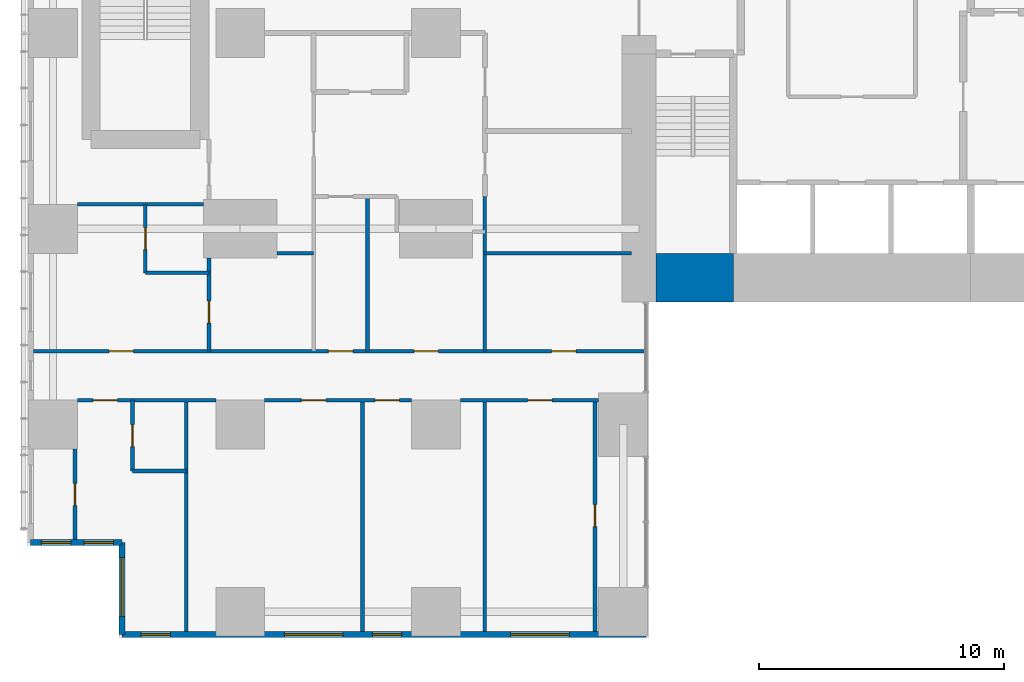
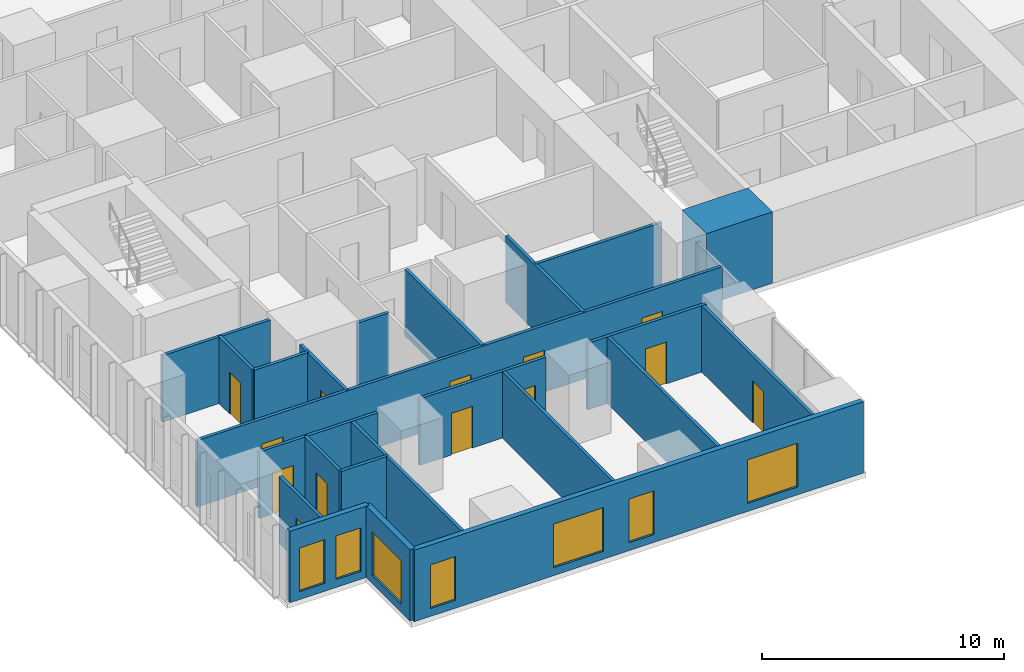
# One storey, part 12 of 20: 23 walls, 13 doors, 7 windows, 20 openings.
"""IFC4 building model written with IfcOpenShell, lengths in metres."""

from ifc_helpers import new_model, si_unit, direction, frame, frame_2d, origin, place, context, subcontext, project, spatial, rectangle, extrude, material, layer, layer_set, type_object, element, fill, save


model = new_model("IFC4")

# Units and contexts
model_context = context("Model", 3, precision=1e-05, world=origin(), true_north=direction((0.0, 1.0)))
body_context = subcontext(model_context, "Body", "Model", "MODEL_VIEW")
ifc_project = project(units=[si_unit("LENGTHUNIT", "METRE"), si_unit("AREAUNIT", "SQUARE_METRE"), si_unit("VOLUMEUNIT", "CUBIC_METRE"), si_unit("PLANEANGLEUNIT", "RADIAN"), si_unit("MASSUNIT", "GRAM", prefix="KILO")], contexts=[model_context])

# Site, building, storey
site_placement = place(None, origin())
site = spatial("IfcSite", under=ifc_project, at=site_placement, CompositionType="ELEMENT")
building_placement = place(site_placement, origin())
building = spatial("IfcBuilding", under=site, at=building_placement, Name="Cleftline Residences", CompositionType="ELEMENT")
storey_placement = place(building_placement, frame((0.0, 0.0, 150.199951171875)))
storey = spatial("IfcBuildingStorey", under=building, at=storey_placement, Name="L39", CompositionType="ELEMENT", Elevation=150.199951171875)

# Wall
ifc_material_1 = material(Name="Concrete B70", Category="concrete")
ifc_layer_1 = layer(ifc_material_1, 2.0)
ifc_layer_set_1 = layer_set([ifc_layer_1], Name="CORE WALL 2000")
wall_type_1 = type_object("IfcWallType", Name="CORE WALL 2000", PredefinedType="SHEAR", material=ifc_layer_set_1)
wall_1_placement = place(storey_placement, frame((25.0, 14.0, 0.0), z_axis=(0.0, 0.0, 1.0), x_axis=(1.0, 0.0, 0.0)))
element("IfcWall", 1, at=wall_1_placement, inside=storey, type_object=wall_type_1, Name="Core wall S1", PredefinedType="SHEAR", context=body_context, shape_type="SweptSolid", body=[
    extrude(rectangle(XDim=3.14990234375, YDim=2.0, at=frame_2d((1.574951171875, 0.0))), origin(), (0.0, 0.0, 1.0), 3.60009765625),
])

# Wall, openings, windows
ifc_material_2 = material(Name="Rendered reinforced concrete blockwork", Category="masonry")
ifc_layer_2 = layer(ifc_material_2, 0.25)
ifc_layer_set_2 = layer_set([ifc_layer_2], Name="EXTERNAL WALL 250")
wall_type_2 = type_object("IfcWallType", Name="EXTERNAL WALL 250", PredefinedType="SOLIDWALL", material=ifc_layer_set_2)
wall_2_placement = place(storey_placement, frame((-0.574951171875, 3.175048828125, 0.0), z_axis=(0.0, 0.0, 1.0), x_axis=(1.0, 0.0, 0.0)))
wall_2 = element("IfcWall", 2, at=wall_2_placement, inside=storey, type_object=wall_type_2, Name="External wall", PredefinedType="SOLIDWALL", context=body_context, shape_type="SweptSolid", body=[
    extrude(rectangle(XDim=3.75, YDim=0.25, at=frame_2d((1.875, 0.0))), origin(), (0.0, 0.0, 1.0), 3.60009765625),
])
opening_1_placement = place(wall_2_placement, frame((0.449951171875, 0.0, 0.39990234375)))
opening_1 = element("IfcOpeningElement", 3, at=opening_1_placement, cuts=wall_2, Name="Opening W11", PredefinedType="OPENING", context=body_context, shape_type="SweptSolid", body=[
    extrude(rectangle(XDim=1.199951171875, YDim=2.199951171875, at=frame_2d((0.60009765625, 1.10009765625))), frame((0.0, 0.135009765625, 0.0), z_axis=(0.0, -1.0, 0.0), x_axis=(1.0, 0.0, 0.0)), (0.0, 0.0, 1.0), 0.27001953125),
])
opening_2_placement = place(wall_2_placement, frame((2.1875, 0.0, 0.39990234375)))
opening_2 = element("IfcOpeningElement", 4, at=opening_2_placement, cuts=wall_2, Name="Opening W11", PredefinedType="OPENING", context=body_context, shape_type="SweptSolid", body=[
    extrude(rectangle(XDim=1.199951171875, YDim=2.199951171875, at=frame_2d((0.60009765625, 1.10009765625))), frame((0.0, 0.135009765625, 0.0), z_axis=(0.0, -1.0, 0.0), x_axis=(1.0, 0.0, 0.0)), (0.0, 0.0, 1.0), 0.27001953125),
])
ifc_material_3 = material(Name="Aluminium frame, clear double glazing", Category="aluminium")
window_type_1 = type_object("IfcWindowType", Name="WINDOW 1200X2200", PartitioningType="DOUBLE_PANEL_VERTICAL", PredefinedType="WINDOW", material=ifc_material_3)
window_1_placement = place(opening_1_placement, origin())
window_1 = element("IfcWindow", 5, at=window_1_placement, inside=storey, type_object=window_type_1, Name="Window", OverallHeight=2.199951171875, OverallWidth=1.199951171875, PartitioningType="SINGLE_PANEL", PredefinedType="WINDOW", context=body_context, shape_type="SweptSolid", body=[
    extrude(rectangle(XDim=1.199951171875, YDim=2.199951171875, at=frame_2d((0.60009765625, 1.10009765625))), frame((0.0, 0.030029296875, 0.0), z_axis=(0.0, -1.0, 0.0), x_axis=(1.0, 0.0, 0.0)), (0.0, 0.0, 1.0), 0.06005859375),
])
fill(opening_1, window_1)
window_2_placement = place(opening_2_placement, origin())
window_2 = element("IfcWindow", 6, at=window_2_placement, inside=storey, type_object=window_type_1, Name="Window", OverallHeight=2.199951171875, OverallWidth=1.199951171875, PartitioningType="SINGLE_PANEL", PredefinedType="WINDOW", context=body_context, shape_type="SweptSolid", body=[
    extrude(rectangle(XDim=1.199951171875, YDim=2.199951171875, at=frame_2d((0.60009765625, 1.10009765625))), frame((0.0, 0.030029296875, 0.0), z_axis=(0.0, -1.0, 0.0), x_axis=(1.0, 0.0, 0.0)), (0.0, 0.0, 1.0), 0.06005859375),
])
fill(opening_2, window_2)

# Wall, opening, window
wall_3_placement = place(storey_placement, frame((3.175048828125, 3.175048828125, 0.0), z_axis=(0.0, 0.0, 1.0), x_axis=(0.0, -1.0, 0.0)))
wall_3 = element("IfcWall", 7, at=wall_3_placement, inside=storey, type_object=wall_type_2, Name="External wall", PredefinedType="SOLIDWALL", context=body_context, shape_type="SweptSolid", body=[
    extrude(rectangle(XDim=3.75, YDim=0.25, at=frame_2d((1.875, 0.0))), origin(), (0.0, 0.0, 1.0), 3.60009765625),
])
opening_3_placement = place(wall_3_placement, frame((0.612548828125, 0.0, 0.39990234375)))
opening_3 = element("IfcOpeningElement", 8, at=opening_3_placement, cuts=wall_3, Name="Opening W12", PredefinedType="OPENING", context=body_context, shape_type="SweptSolid", body=[
    extrude(rectangle(XDim=2.39990234375, YDim=2.199951171875, at=frame_2d((1.199951171875, 1.10009765625))), frame((0.0, 0.135009765625, 0.0), z_axis=(0.0, -1.0, 0.0), x_axis=(1.0, 0.0, 0.0)), (0.0, 0.0, 1.0), 0.27001953125),
])
ifc_material_4 = material(Name="Aluminium frame, clear double glazing", Category="aluminium")
window_type_2 = type_object("IfcWindowType", Name="WINDOW 2400X2200", PartitioningType="DOUBLE_PANEL_VERTICAL", PredefinedType="WINDOW", material=ifc_material_4)
window_3_placement = place(opening_3_placement, origin())
window_3 = element("IfcWindow", 9, at=window_3_placement, inside=storey, type_object=window_type_2, Name="Window", OverallHeight=2.199951171875, OverallWidth=2.39990234375, PartitioningType="SINGLE_PANEL", PredefinedType="WINDOW", context=body_context, shape_type="SweptSolid", body=[
    extrude(rectangle(XDim=2.39990234375, YDim=2.199951171875, at=frame_2d((1.199951171875, 1.10009765625))), frame((0.0, 0.030029296875, 0.0), z_axis=(0.0, -1.0, 0.0), x_axis=(1.0, 0.0, 0.0)), (0.0, 0.0, 1.0), 0.06005859375),
])
fill(opening_3, window_3)

# Wall, openings, windows
wall_4_placement = place(storey_placement, frame((3.175048828125, -0.574951171875, 0.0), z_axis=(0.0, 0.0, 1.0), x_axis=(1.0, 0.0, 0.0)))
wall_4 = element("IfcWall", 10, at=wall_4_placement, inside=storey, type_object=wall_type_2, Name="External wall", PredefinedType="SOLIDWALL", context=body_context, shape_type="SweptSolid", body=[
    extrude(rectangle(XDim=21.39990234375, YDim=0.25, at=frame_2d((10.699951171875, 0.0))), origin(), (0.0, 0.0, 1.0), 3.60009765625),
])
opening_4_placement = place(wall_4_placement, frame((0.77490234375, 0.0, 0.39990234375)))
opening_4 = element("IfcOpeningElement", 11, at=opening_4_placement, cuts=wall_4, Name="Opening W11", PredefinedType="OPENING", context=body_context, shape_type="SweptSolid", body=[
    extrude(rectangle(XDim=1.199951171875, YDim=2.199951171875, at=frame_2d((0.60009765625, 1.10009765625))), frame((0.0, 0.135009765625, 0.0), z_axis=(0.0, -1.0, 0.0), x_axis=(1.0, 0.0, 0.0)), (0.0, 0.0, 1.0), 0.27001953125),
])
opening_5_placement = place(wall_4_placement, frame((6.625, 0.0, 0.39990234375)))
opening_5 = element("IfcOpeningElement", 12, at=opening_5_placement, cuts=wall_4, Name="Opening W12", PredefinedType="OPENING", context=body_context, shape_type="SweptSolid", body=[
    extrude(rectangle(XDim=2.39990234375, YDim=2.199951171875, at=frame_2d((1.199951171875, 1.10009765625))), frame((0.0, 0.135009765625, 0.0), z_axis=(0.0, -1.0, 0.0), x_axis=(1.0, 0.0, 0.0)), (0.0, 0.0, 1.0), 0.27001953125),
])
opening_6_placement = place(wall_4_placement, frame((10.22509765625, 0.0, 0.39990234375)))
opening_6 = element("IfcOpeningElement", 13, at=opening_6_placement, cuts=wall_4, Name="Opening W11", PredefinedType="OPENING", context=body_context, shape_type="SweptSolid", body=[
    extrude(rectangle(XDim=1.199951171875, YDim=2.199951171875, at=frame_2d((0.60009765625, 1.10009765625))), frame((0.0, 0.135009765625, 0.0), z_axis=(0.0, -1.0, 0.0), x_axis=(1.0, 0.0, 0.0)), (0.0, 0.0, 1.0), 0.27001953125),
])
opening_7_placement = place(wall_4_placement, frame((15.875, 0.0, 0.39990234375)))
opening_7 = element("IfcOpeningElement", 14, at=opening_7_placement, cuts=wall_4, Name="Opening W12", PredefinedType="OPENING", context=body_context, shape_type="SweptSolid", body=[
    extrude(rectangle(XDim=2.39990234375, YDim=2.199951171875, at=frame_2d((1.199951171875, 1.10009765625))), frame((0.0, 0.135009765625, 0.0), z_axis=(0.0, -1.0, 0.0), x_axis=(1.0, 0.0, 0.0)), (0.0, 0.0, 1.0), 0.27001953125),
])
window_4_placement = place(opening_4_placement, origin())
window_4 = element("IfcWindow", 15, at=window_4_placement, inside=storey, type_object=window_type_1, Name="Window", OverallHeight=2.199951171875, OverallWidth=1.199951171875, PartitioningType="SINGLE_PANEL", PredefinedType="WINDOW", context=body_context, shape_type="SweptSolid", body=[
    extrude(rectangle(XDim=1.199951171875, YDim=2.199951171875, at=frame_2d((0.60009765625, 1.10009765625))), frame((0.0, 0.030029296875, 0.0), z_axis=(0.0, -1.0, 0.0), x_axis=(1.0, 0.0, 0.0)), (0.0, 0.0, 1.0), 0.06005859375),
])
fill(opening_4, window_4)
window_5_placement = place(opening_6_placement, origin())
window_5 = element("IfcWindow", 16, at=window_5_placement, inside=storey, type_object=window_type_1, Name="Window", OverallHeight=2.199951171875, OverallWidth=1.199951171875, PartitioningType="SINGLE_PANEL", PredefinedType="WINDOW", context=body_context, shape_type="SweptSolid", body=[
    extrude(rectangle(XDim=1.199951171875, YDim=2.199951171875, at=frame_2d((0.60009765625, 1.10009765625))), frame((0.0, 0.030029296875, 0.0), z_axis=(0.0, -1.0, 0.0), x_axis=(1.0, 0.0, 0.0)), (0.0, 0.0, 1.0), 0.06005859375),
])
fill(opening_6, window_5)
window_6_placement = place(opening_5_placement, origin())
window_6 = element("IfcWindow", 17, at=window_6_placement, inside=storey, type_object=window_type_2, Name="Window", OverallHeight=2.199951171875, OverallWidth=2.39990234375, PartitioningType="SINGLE_PANEL", PredefinedType="WINDOW", context=body_context, shape_type="SweptSolid", body=[
    extrude(rectangle(XDim=2.39990234375, YDim=2.199951171875, at=frame_2d((1.199951171875, 1.10009765625))), frame((0.0, 0.030029296875, 0.0), z_axis=(0.0, -1.0, 0.0), x_axis=(1.0, 0.0, 0.0)), (0.0, 0.0, 1.0), 0.06005859375),
])
fill(opening_5, window_6)
window_7_placement = place(opening_7_placement, origin())
window_7 = element("IfcWindow", 18, at=window_7_placement, inside=storey, type_object=window_type_2, Name="Window", OverallHeight=2.199951171875, OverallWidth=2.39990234375, PartitioningType="SINGLE_PANEL", PredefinedType="WINDOW", context=body_context, shape_type="SweptSolid", body=[
    extrude(rectangle(XDim=2.39990234375, YDim=2.199951171875, at=frame_2d((1.199951171875, 1.10009765625))), frame((0.0, 0.030029296875, 0.0), z_axis=(0.0, -1.0, 0.0), x_axis=(1.0, 0.0, 0.0)), (0.0, 0.0, 1.0), 0.06005859375),
])
fill(opening_7, window_7)

# Wall
ifc_material_5 = material(Name="Gypsum board on steel studs", Category="steel")
ifc_layer_3 = layer(ifc_material_5, 0.14990234375)
ifc_layer_set_3 = layer_set([ifc_layer_3], Name="PARTITION 150")
wall_type_3 = type_object("IfcWallType", Name="PARTITION 150", PredefinedType="PARTITIONING", material=ifc_layer_set_3)
wall_5_placement = place(storey_placement, frame((3.60009765625, 6.10009765625, 0.0), z_axis=(0.0, 0.0, 1.0), x_axis=(1.0, 0.0, 0.0)))
element("IfcWall", 19, at=wall_5_placement, inside=storey, type_object=wall_type_3, Name="Partition", PredefinedType="PARTITIONING", context=body_context, shape_type="SweptSolid", body=[
    extrude(rectangle(XDim=2.199951171875, YDim=0.14990234375, at=frame_2d((1.10009765625, 0.0))), origin(), (0.0, 0.0, 1.0), 3.35009765625),
])

# Wall, opening, door
wall_6_placement = place(storey_placement, frame((1.35009765625, 9.0, 0.0), z_axis=(0.0, 0.0, 1.0), x_axis=(1.0, 0.0, 0.0)))
wall_6 = element("IfcWall", 20, at=wall_6_placement, inside=storey, type_object=wall_type_3, Name="Partition", PredefinedType="PARTITIONING", context=body_context, shape_type="SweptSolid", body=[
    extrude(rectangle(XDim=5.64990234375, YDim=0.14990234375, at=frame_2d((2.824951171875, 0.0))), origin(), (0.0, 0.0, 1.0), 3.35009765625),
])
opening_8_placement = place(wall_6_placement, frame((0.625, 0.0, 0.0)))
opening_8 = element("IfcOpeningElement", 21, at=opening_8_placement, cuts=wall_6, Name="Opening D2", PredefinedType="OPENING", context=body_context, shape_type="SweptSolid", body=[
    extrude(rectangle(XDim=1.0, YDim=2.10009765625, at=frame_2d((0.5, 1.050048828125))), frame((0.0, 0.0849609375, 0.0), z_axis=(0.0, -1.0, 0.0), x_axis=(1.0, 0.0, 0.0)), (0.0, 0.0, 1.0), 0.169921875),
])
ifc_material_6 = material(Name="Timber veneer on solid core", Category="wood")
door_type_1 = type_object("IfcDoorType", Name="DOOR 1000X2100", OperationType="SINGLE_SWING_LEFT", PredefinedType="DOOR", material=ifc_material_6)
door_1_placement = place(opening_8_placement, origin())
door_1 = element("IfcDoor", 22, at=door_1_placement, inside=storey, type_object=door_type_1, Name="Door to bedroom 2", OperationType="SINGLE_SWING_RIGHT", OverallHeight=2.10009765625, OverallWidth=1.0, PredefinedType="DOOR", context=body_context, shape_type="SweptSolid", body=[
    extrude(rectangle(XDim=1.0, YDim=2.10009765625, at=frame_2d((0.5, 1.050048828125))), frame((0.0, 0.02490234375, 0.0), z_axis=(0.0, -1.0, 0.0), x_axis=(1.0, 0.0, 0.0)), (0.0, 0.0, 1.0), 0.050048828125),
])
fill(opening_8, door_1)

# Wall, openings, doors
wall_7_placement = place(storey_placement, frame((9.0, 9.0, 0.0), z_axis=(0.0, 0.0, 1.0), x_axis=(1.0, 0.0, 0.0)))
wall_7 = element("IfcWall", 23, at=wall_7_placement, inside=storey, type_object=wall_type_3, Name="Partition", PredefinedType="PARTITIONING", context=body_context, shape_type="SweptSolid", body=[
    extrude(rectangle(XDim=6.0, YDim=0.14990234375, at=frame_2d((3.0, 0.0))), origin(), (0.0, 0.0, 1.0), 3.35009765625),
])
opening_9_placement = place(wall_7_placement, frame((1.5, 0.0, 0.0)))
opening_9 = element("IfcOpeningElement", 24, at=opening_9_placement, cuts=wall_7, Name="Opening D2", PredefinedType="OPENING", context=body_context, shape_type="SweptSolid", body=[
    extrude(rectangle(XDim=1.0, YDim=2.10009765625, at=frame_2d((0.5, 1.050048828125))), frame((0.0, 0.0849609375, 0.0), z_axis=(0.0, -1.0, 0.0), x_axis=(1.0, 0.0, 0.0)), (0.0, 0.0, 1.0), 0.169921875),
])
opening_10_placement = place(wall_7_placement, frame((4.5, 0.0, 0.0)))
opening_10 = element("IfcOpeningElement", 25, at=opening_10_placement, cuts=wall_7, Name="Opening D2", PredefinedType="OPENING", context=body_context, shape_type="SweptSolid", body=[
    extrude(rectangle(XDim=1.0, YDim=2.10009765625, at=frame_2d((0.5, 1.050048828125))), frame((0.0, 0.0849609375, 0.0), z_axis=(0.0, -1.0, 0.0), x_axis=(1.0, 0.0, 0.0)), (0.0, 0.0, 1.0), 0.169921875),
])
door_2_placement = place(opening_9_placement, origin())
door_2 = element("IfcDoor", 26, at=door_2_placement, inside=storey, type_object=door_type_1, Name="Door to living room", OperationType="SINGLE_SWING_RIGHT", OverallHeight=2.10009765625, OverallWidth=1.0, PredefinedType="DOOR", context=body_context, shape_type="SweptSolid", body=[
    extrude(rectangle(XDim=1.0, YDim=2.10009765625, at=frame_2d((0.5, 1.050048828125))), frame((0.0, 0.02490234375, 0.0), z_axis=(0.0, -1.0, 0.0), x_axis=(1.0, 0.0, 0.0)), (0.0, 0.0, 1.0), 0.050048828125),
])
fill(opening_9, door_2)
door_3_placement = place(opening_10_placement, origin())
door_3 = element("IfcDoor", 27, at=door_3_placement, inside=storey, type_object=door_type_1, Name="Door to dining room", OperationType="SINGLE_SWING_LEFT", OverallHeight=2.10009765625, OverallWidth=1.0, PredefinedType="DOOR", context=body_context, shape_type="SweptSolid", body=[
    extrude(rectangle(XDim=1.0, YDim=2.10009765625, at=frame_2d((0.5, 1.050048828125))), frame((0.0, 0.02490234375, 0.0), z_axis=(0.0, -1.0, 0.0), x_axis=(1.0, 0.0, 0.0)), (0.0, 0.0, 1.0), 0.050048828125),
])
fill(opening_10, door_3)

# Wall, opening, door
wall_8_placement = place(storey_placement, frame((17.0, 9.0, 0.0), z_axis=(0.0, 0.0, 1.0), x_axis=(1.0, 0.0, 0.0)))
wall_8 = element("IfcWall", 28, at=wall_8_placement, inside=storey, type_object=wall_type_3, Name="Partition", PredefinedType="PARTITIONING", context=body_context, shape_type="SweptSolid", body=[
    extrude(rectangle(XDim=5.64990234375, YDim=0.14990234375, at=frame_2d((2.824951171875, 0.0))), origin(), (0.0, 0.0, 1.0), 3.35009765625),
])
opening_11_placement = place(wall_8_placement, frame((2.75, 0.0, 0.0)))
opening_11 = element("IfcOpeningElement", 29, at=opening_11_placement, cuts=wall_8, Name="Opening D2", PredefinedType="OPENING", context=body_context, shape_type="SweptSolid", body=[
    extrude(rectangle(XDim=1.0, YDim=2.10009765625, at=frame_2d((0.5, 1.050048828125))), frame((0.0, 0.0849609375, 0.0), z_axis=(0.0, -1.0, 0.0), x_axis=(1.0, 0.0, 0.0)), (0.0, 0.0, 1.0), 0.169921875),
])
door_4_placement = place(opening_11_placement, origin())
door_4 = element("IfcDoor", 30, at=door_4_placement, inside=storey, type_object=door_type_1, Name="Door to show kitchen", OperationType="SINGLE_SWING_LEFT", OverallHeight=2.10009765625, OverallWidth=1.0, PredefinedType="DOOR", context=body_context, shape_type="SweptSolid", body=[
    extrude(rectangle(XDim=1.0, YDim=2.10009765625, at=frame_2d((0.5, 1.050048828125))), frame((0.0, 0.02490234375, 0.0), z_axis=(0.0, -1.0, 0.0), x_axis=(1.0, 0.0, 0.0)), (0.0, 0.0, 1.0), 0.050048828125),
])
fill(opening_11, door_4)

# Wall, openings, doors
wall_9_placement = place(storey_placement, frame((-0.449951171875, 11.0, 0.0), z_axis=(0.0, 0.0, 1.0), x_axis=(1.0, 0.0, 0.0)))
wall_9 = element("IfcWall", 31, at=wall_9_placement, inside=storey, type_object=wall_type_3, Name="Partition", PredefinedType="PARTITIONING", context=body_context, shape_type="SweptSolid", body=[
    extrude(rectangle(XDim=25.010986328125, YDim=0.14990234375, at=frame_2d((12.50537109375, 0.0))), origin(), (0.0, 0.0, 1.0), 3.35009765625),
])
opening_12_placement = place(wall_9_placement, frame((12.050048828125, 0.0, 0.0)))
opening_12 = element("IfcOpeningElement", 32, at=opening_12_placement, cuts=wall_9, Name="Opening D2F30", PredefinedType="OPENING", context=body_context, shape_type="SweptSolid", body=[
    extrude(rectangle(XDim=1.0, YDim=2.10009765625, at=frame_2d((0.5, 1.050048828125))), frame((0.0, 0.0849609375, 0.0), z_axis=(0.0, -1.0, 0.0), x_axis=(1.0, 0.0, 0.0)), (0.0, 0.0, 1.0), 0.169921875),
])
opening_13_placement = place(wall_9_placement, frame((3.08740234375, 0.0, 0.0)))
opening_13 = element("IfcOpeningElement", 33, at=opening_13_placement, cuts=wall_9, Name="Opening D2F30", PredefinedType="OPENING", context=body_context, shape_type="SweptSolid", body=[
    extrude(rectangle(XDim=1.0, YDim=2.10009765625, at=frame_2d((0.5, 1.050048828125))), frame((0.0, 0.0849609375, 0.0), z_axis=(0.0, -1.0, 0.0), x_axis=(1.0, 0.0, 0.0)), (0.0, 0.0, 1.0), 0.169921875),
])
opening_14_placement = place(wall_9_placement, frame((15.550048828125, 0.0, 0.0)))
opening_14 = element("IfcOpeningElement", 34, at=opening_14_placement, cuts=wall_9, Name="Opening D2F30", PredefinedType="OPENING", context=body_context, shape_type="SweptSolid", body=[
    extrude(rectangle(XDim=1.0, YDim=2.10009765625, at=frame_2d((0.5, 1.050048828125))), frame((0.0, 0.0849609375, 0.0), z_axis=(0.0, -1.0, 0.0), x_axis=(1.0, 0.0, 0.0)), (0.0, 0.0, 1.0), 0.169921875),
])
opening_15_placement = place(wall_9_placement, frame((21.175048828125, 0.0, 0.0)))
opening_15 = element("IfcOpeningElement", 35, at=opening_15_placement, cuts=wall_9, Name="Opening D2F30", PredefinedType="OPENING", context=body_context, shape_type="SweptSolid", body=[
    extrude(rectangle(XDim=1.0, YDim=2.10009765625, at=frame_2d((0.5, 1.050048828125))), frame((0.0, 0.0849609375, 0.0), z_axis=(0.0, -1.0, 0.0), x_axis=(1.0, 0.0, 0.0)), (0.0, 0.0, 1.0), 0.169921875),
])
ifc_material_7 = material(Name="Timber veneer on solid core", Category="wood")
door_type_2 = type_object("IfcDoorType", Name="DOOR 1000X2100 EI 30", OperationType="SINGLE_SWING_LEFT", PredefinedType="DOOR", material=ifc_material_7)
door_5_placement = place(opening_12_placement, origin())
door_5 = element("IfcDoor", 36, at=door_5_placement, inside=storey, type_object=door_type_2, Name="Door to residence hall (gallery)", OperationType="SINGLE_SWING_LEFT", OverallHeight=2.10009765625, OverallWidth=1.0, PredefinedType="DOOR", context=body_context, shape_type="SweptSolid", body=[
    extrude(rectangle(XDim=1.0, YDim=2.10009765625, at=frame_2d((0.5, 1.050048828125))), frame((0.0, 0.02490234375, 0.0), z_axis=(0.0, -1.0, 0.0), x_axis=(1.0, 0.0, 0.0)), (0.0, 0.0, 1.0), 0.050048828125),
])
fill(opening_12, door_5)
door_6_placement = place(opening_13_placement, origin())
door_6 = element("IfcDoor", 37, at=door_6_placement, inside=storey, type_object=door_type_2, Name="Door to master bedroom", OperationType="SINGLE_SWING_RIGHT", OverallHeight=2.10009765625, OverallWidth=1.0, PredefinedType="DOOR", context=body_context, shape_type="SweptSolid", body=[
    extrude(rectangle(XDim=1.0, YDim=2.10009765625, at=frame_2d((0.5, 1.050048828125))), frame((0.0, 0.02490234375, 0.0), z_axis=(0.0, -1.0, 0.0), x_axis=(1.0, 0.0, 0.0)), (0.0, 0.0, 1.0), 0.050048828125),
])
fill(opening_13, door_6)
door_7_placement = place(opening_14_placement, origin())
door_7 = element("IfcDoor", 38, at=door_7_placement, inside=storey, type_object=door_type_2, Name="Door to study", OperationType="SINGLE_SWING_LEFT", OverallHeight=2.10009765625, OverallWidth=1.0, PredefinedType="DOOR", context=body_context, shape_type="SweptSolid", body=[
    extrude(rectangle(XDim=1.0, YDim=2.10009765625, at=frame_2d((0.5, 1.050048828125))), frame((0.0, 0.02490234375, 0.0), z_axis=(0.0, -1.0, 0.0), x_axis=(1.0, 0.0, 0.0)), (0.0, 0.0, 1.0), 0.050048828125),
])
fill(opening_14, door_7)
door_8_placement = place(opening_15_placement, origin())
door_8 = element("IfcDoor", 39, at=door_8_placement, inside=storey, type_object=door_type_2, Name="Door to wet kitchen", OperationType="SINGLE_SWING_LEFT", OverallHeight=2.10009765625, OverallWidth=1.0, PredefinedType="DOOR", context=body_context, shape_type="SweptSolid", body=[
    extrude(rectangle(XDim=1.0, YDim=2.10009765625, at=frame_2d((0.5, 1.050048828125))), frame((0.0, 0.02490234375, 0.0), z_axis=(0.0, -1.0, 0.0), x_axis=(1.0, 0.0, 0.0)), (0.0, 0.0, 1.0), 0.050048828125),
])
fill(opening_15, door_8)

# Walls
wall_10_placement = place(storey_placement, frame((4.125, 14.199951171875, 0.0), z_axis=(0.0, 0.0, 1.0), x_axis=(1.0, 0.0, 0.0)))
element("IfcWall", 40, at=wall_10_placement, inside=storey, type_object=wall_type_3, Name="Partition", PredefinedType="PARTITIONING", context=body_context, shape_type="SweptSolid", body=[
    extrude(rectangle(XDim=2.60009765625, YDim=0.14990234375, at=frame_2d((1.300048828125, 0.0))), origin(), (0.0, 0.0, 1.0), 3.35009765625),
])
wall_11_placement = place(storey_placement, frame((9.5, 15.0, 0.0), z_axis=(0.0, 0.0, 1.0), x_axis=(1.0, 0.0, 0.0)))
element("IfcWall", 41, at=wall_11_placement, inside=storey, type_object=wall_type_3, Name="Partition", PredefinedType="PARTITIONING", context=body_context, shape_type="SweptSolid", body=[
    extrude(rectangle(XDim=1.5, YDim=0.14990234375, at=frame_2d((0.75, 0.0))), origin(), (0.0, 0.0, 1.0), 3.35009765625),
])
wall_12_placement = place(storey_placement, frame((18.0, 15.0, 0.0), z_axis=(0.0, 0.0, 1.0), x_axis=(1.0, 0.0, 0.0)))
element("IfcWall", 42, at=wall_12_placement, inside=storey, type_object=wall_type_3, Name="Partition", PredefinedType="PARTITIONING", context=body_context, shape_type="SweptSolid", body=[
    extrude(rectangle(XDim=6.0, YDim=0.14990234375, at=frame_2d((3.0, 0.0))), origin(), (0.0, 0.0, 1.0), 3.35009765625),
])
wall_13_placement = place(storey_placement, frame((1.35009765625, 17.0, 0.0), z_axis=(0.0, 0.0, 1.0), x_axis=(1.0, 0.0, 0.0)))
element("IfcWall", 43, at=wall_13_placement, inside=storey, type_object=wall_type_3, Name="Partition", PredefinedType="PARTITIONING", context=body_context, shape_type="SweptSolid", body=[
    extrude(rectangle(XDim=5.14990234375, YDim=0.14990234375, at=frame_2d((2.574951171875, 0.0))), origin(), (0.0, 0.0, 1.0), 3.35009765625),
])

# Wall, opening, door
wall_14_placement = place(storey_placement, frame((1.25, 3.300048828125, 0.0), z_axis=(0.0, 0.0, 1.0), x_axis=(0.0, 1.0, 0.0)))
wall_14 = element("IfcWall", 44, at=wall_14_placement, inside=storey, type_object=wall_type_3, Name="Partition", PredefinedType="PARTITIONING", context=body_context, shape_type="SweptSolid", body=[
    extrude(rectangle(XDim=3.699951171875, YDim=0.14990234375, at=frame_2d((1.85009765625, 0.0))), origin(), (0.0, 0.0, 1.0), 3.35009765625),
])
opening_16_placement = place(wall_14_placement, frame((1.39990234375, 0.0, 0.0)))
opening_16 = element("IfcOpeningElement", 45, at=opening_16_placement, cuts=wall_14, Name="Opening D1", PredefinedType="OPENING", context=body_context, shape_type="SweptSolid", body=[
    extrude(rectangle(XDim=0.89990234375, YDim=2.10009765625, at=frame_2d((0.449951171875, 1.050048828125))), frame((0.0, 0.0849609375, 0.0), z_axis=(0.0, -1.0, 0.0), x_axis=(1.0, 0.0, 0.0)), (0.0, 0.0, 1.0), 0.169921875),
])
ifc_material_8 = material(Name="Timber veneer on solid core", Category="wood")
door_type_3 = type_object("IfcDoorType", Name="DOOR 900X2100", OperationType="SINGLE_SWING_LEFT", PredefinedType="DOOR", material=ifc_material_8)
door_9_placement = place(opening_16_placement, origin())
door_9 = element("IfcDoor", 46, at=door_9_placement, inside=storey, type_object=door_type_3, Name="Door to walk-in wardrobe", OperationType="SINGLE_SWING_LEFT", OverallHeight=2.10009765625, OverallWidth=0.89990234375, PredefinedType="DOOR", context=body_context, shape_type="SweptSolid", body=[
    extrude(rectangle(XDim=0.89990234375, YDim=2.10009765625, at=frame_2d((0.449951171875, 1.050048828125))), frame((0.0, 0.02490234375, 0.0), z_axis=(0.0, -1.0, 0.0), x_axis=(1.0, 0.0, 0.0)), (0.0, 0.0, 1.0), 0.050048828125),
])
fill(opening_16, door_9)

wall_15_placement = place(storey_placement, frame((3.60009765625, 6.10009765625, 0.0), z_axis=(0.0, 0.0, 1.0), x_axis=(0.0, 1.0, 0.0)))
wall_15 = element("IfcWall", 47, at=wall_15_placement, inside=storey, type_object=wall_type_3, Name="Partition", PredefinedType="PARTITIONING", context=body_context, shape_type="SweptSolid", body=[
    extrude(rectangle(XDim=2.89990234375, YDim=0.14990234375, at=frame_2d((1.449951171875, 0.0))), origin(), (0.0, 0.0, 1.0), 3.35009765625),
])
opening_17_placement = place(wall_15_placement, frame((1.0, 0.0, 0.0)))
opening_17 = element("IfcOpeningElement", 48, at=opening_17_placement, cuts=wall_15, Name="Opening D1", PredefinedType="OPENING", context=body_context, shape_type="SweptSolid", body=[
    extrude(rectangle(XDim=0.89990234375, YDim=2.10009765625, at=frame_2d((0.449951171875, 1.050048828125))), frame((0.0, 0.0849609375, 0.0), z_axis=(0.0, -1.0, 0.0), x_axis=(1.0, 0.0, 0.0)), (0.0, 0.0, 1.0), 0.169921875),
])
door_10_placement = place(opening_17_placement, origin())
door_10 = element("IfcDoor", 49, at=door_10_placement, inside=storey, type_object=door_type_3, Name="Door to en-suite bathroom 2", OperationType="SINGLE_SWING_LEFT", OverallHeight=2.10009765625, OverallWidth=0.89990234375, PredefinedType="DOOR", context=body_context, shape_type="SweptSolid", body=[
    extrude(rectangle(XDim=0.89990234375, YDim=2.10009765625, at=frame_2d((0.449951171875, 1.050048828125))), frame((0.0, 0.02490234375, 0.0), z_axis=(0.0, -1.0, 0.0), x_axis=(1.0, 0.0, 0.0)), (0.0, 0.0, 1.0), 0.050048828125),
])
fill(opening_17, door_10)

wall_16_placement = place(storey_placement, frame((4.125, 14.199951171875, 0.0), z_axis=(0.0, 0.0, 1.0), x_axis=(0.0, 1.0, 0.0)))
wall_16 = element("IfcWall", 50, at=wall_16_placement, inside=storey, type_object=wall_type_3, Name="Partition", PredefinedType="PARTITIONING", context=body_context, shape_type="SweptSolid", body=[
    extrude(rectangle(XDim=2.800048828125, YDim=0.14990234375, at=frame_2d((1.39990234375, 0.0))), origin(), (0.0, 0.0, 1.0), 3.35009765625),
])
opening_18_placement = place(wall_16_placement, frame((0.949951171875, 0.0, 0.0)))
opening_18 = element("IfcOpeningElement", 51, at=opening_18_placement, cuts=wall_16, Name="Opening D1", PredefinedType="OPENING", context=body_context, shape_type="SweptSolid", body=[
    extrude(rectangle(XDim=0.89990234375, YDim=2.10009765625, at=frame_2d((0.449951171875, 1.050048828125))), frame((0.0, 0.0849609375, 0.0), z_axis=(0.0, -1.0, 0.0), x_axis=(1.0, 0.0, 0.0)), (0.0, 0.0, 1.0), 0.169921875),
])
door_11_placement = place(opening_18_placement, origin())
door_11 = element("IfcDoor", 52, at=door_11_placement, inside=storey, type_object=door_type_3, Name="Door to master bathroom", OperationType="SINGLE_SWING_LEFT", OverallHeight=2.10009765625, OverallWidth=0.89990234375, PredefinedType="DOOR", context=body_context, shape_type="SweptSolid", body=[
    extrude(rectangle(XDim=0.89990234375, YDim=2.10009765625, at=frame_2d((0.449951171875, 1.050048828125))), frame((0.0, 0.02490234375, 0.0), z_axis=(0.0, -1.0, 0.0), x_axis=(1.0, 0.0, 0.0)), (0.0, 0.0, 1.0), 0.050048828125),
])
fill(opening_18, door_11)

# Wall
wall_17_placement = place(storey_placement, frame((5.800048828125, -0.449951171875, 0.0), z_axis=(0.0, 0.0, 1.0), x_axis=(0.0, 1.0, 0.0)))
element("IfcWall", 53, at=wall_17_placement, inside=storey, type_object=wall_type_3, Name="Partition", PredefinedType="PARTITIONING", context=body_context, shape_type="SweptSolid", body=[
    extrude(rectangle(XDim=9.449951171875, YDim=0.14990234375, at=frame_2d((4.72509765625, 0.0))), origin(), (0.0, 0.0, 1.0), 3.35009765625),
])

# Wall, opening, door
wall_18_placement = place(storey_placement, frame((6.72509765625, 11.0, 0.0), z_axis=(0.0, 0.0, 1.0), x_axis=(0.0, 1.0, 0.0)))
wall_18 = element("IfcWall", 54, at=wall_18_placement, inside=storey, type_object=wall_type_3, Name="Partition", PredefinedType="PARTITIONING", context=body_context, shape_type="SweptSolid", body=[
    extrude(rectangle(XDim=3.800048828125, YDim=0.14990234375, at=frame_2d((1.89990234375, 0.0))), origin(), (0.0, 0.0, 1.0), 3.35009765625),
])
opening_19_placement = place(wall_18_placement, frame((1.14990234375, 0.0, 0.0)))
opening_19 = element("IfcOpeningElement", 55, at=opening_19_placement, cuts=wall_18, Name="Opening D1", PredefinedType="OPENING", context=body_context, shape_type="SweptSolid", body=[
    extrude(rectangle(XDim=0.89990234375, YDim=2.10009765625, at=frame_2d((0.449951171875, 1.050048828125))), frame((0.0, 0.0849609375, 0.0), z_axis=(0.0, -1.0, 0.0), x_axis=(1.0, 0.0, 0.0)), (0.0, 0.0, 1.0), 0.169921875),
])
door_12_placement = place(opening_19_placement, origin())
door_12 = element("IfcDoor", 56, at=door_12_placement, inside=storey, type_object=door_type_3, Name="Door to master dressing room", OperationType="SINGLE_SWING_RIGHT", OverallHeight=2.10009765625, OverallWidth=0.89990234375, PredefinedType="DOOR", context=body_context, shape_type="SweptSolid", body=[
    extrude(rectangle(XDim=0.89990234375, YDim=2.10009765625, at=frame_2d((0.449951171875, 1.050048828125))), frame((0.0, 0.02490234375, 0.0), z_axis=(0.0, -1.0, 0.0), x_axis=(1.0, 0.0, 0.0)), (0.0, 0.0, 1.0), 0.050048828125),
])
fill(opening_19, door_12)

# Walls
wall_19_placement = place(storey_placement, frame((13.0, -0.449951171875, 0.0), z_axis=(0.0, 0.0, 1.0), x_axis=(0.0, 1.0, 0.0)))
element("IfcWall", 57, at=wall_19_placement, inside=storey, type_object=wall_type_3, Name="Partition", PredefinedType="PARTITIONING", context=body_context, shape_type="SweptSolid", body=[
    extrude(rectangle(XDim=9.449951171875, YDim=0.14990234375, at=frame_2d((4.72509765625, 0.0))), origin(), (0.0, 0.0, 1.0), 3.35009765625),
])
wall_20_placement = place(storey_placement, frame((13.199951171875, 11.0, 0.0), z_axis=(0.0, 0.0, 1.0), x_axis=(0.0, 1.0, 0.0)))
element("IfcWall", 58, at=wall_20_placement, inside=storey, type_object=wall_type_3, Name="Partition", PredefinedType="PARTITIONING", context=body_context, shape_type="SweptSolid", body=[
    extrude(rectangle(XDim=6.324951171875, YDim=0.14990234375, at=frame_2d((3.16259765625, 0.0))), origin(), (0.0, 0.0, 1.0), 3.35009765625),
])
wall_21_placement = place(storey_placement, frame((18.0, -0.449951171875, 0.0), z_axis=(0.0, 0.0, 1.0), x_axis=(0.0, 1.0, 0.0)))
element("IfcWall", 59, at=wall_21_placement, inside=storey, type_object=wall_type_3, Name="Partition", PredefinedType="PARTITIONING", context=body_context, shape_type="SweptSolid", body=[
    extrude(rectangle(XDim=9.449951171875, YDim=0.14990234375, at=frame_2d((4.72509765625, 0.0))), origin(), (0.0, 0.0, 1.0), 3.35009765625),
])
wall_22_placement = place(storey_placement, frame((18.0, 11.0, 0.0), z_axis=(0.0, 0.0, 1.0), x_axis=(0.0, 1.0, 0.0)))
element("IfcWall", 60, at=wall_22_placement, inside=storey, type_object=wall_type_3, Name="Partition", PredefinedType="PARTITIONING", context=body_context, shape_type="SweptSolid", body=[
    extrude(rectangle(XDim=6.324951171875, YDim=0.14990234375, at=frame_2d((3.16259765625, 0.0))), origin(), (0.0, 0.0, 1.0), 3.35009765625),
])

# Wall, opening, door
wall_23_placement = place(storey_placement, frame((22.5, -0.449951171875, 0.0), z_axis=(0.0, 0.0, 1.0), x_axis=(0.0, 1.0, 0.0)))
wall_23 = element("IfcWall", 61, at=wall_23_placement, inside=storey, type_object=wall_type_3, Name="Partition", PredefinedType="PARTITIONING", context=body_context, shape_type="SweptSolid", body=[
    extrude(rectangle(XDim=9.449951171875, YDim=0.14990234375, at=frame_2d((4.72509765625, 0.0))), origin(), (0.0, 0.0, 1.0), 3.35009765625),
])
opening_20_placement = place(wall_23_placement, frame((4.27490234375, 0.0, 0.0)))
opening_20 = element("IfcOpeningElement", 62, at=opening_20_placement, cuts=wall_23, Name="Opening D1", PredefinedType="OPENING", context=body_context, shape_type="SweptSolid", body=[
    extrude(rectangle(XDim=0.89990234375, YDim=2.10009765625, at=frame_2d((0.449951171875, 1.050048828125))), frame((0.0, 0.0849609375, 0.0), z_axis=(0.0, -1.0, 0.0), x_axis=(1.0, 0.0, 0.0)), (0.0, 0.0, 1.0), 0.169921875),
])
door_13_placement = place(opening_20_placement, origin())
door_13 = element("IfcDoor", 63, at=door_13_placement, inside=storey, type_object=door_type_3, Name="Door to kitchen store", OperationType="SINGLE_SWING_LEFT", OverallHeight=2.10009765625, OverallWidth=0.89990234375, PredefinedType="DOOR", context=body_context, shape_type="SweptSolid", body=[
    extrude(rectangle(XDim=0.89990234375, YDim=2.10009765625, at=frame_2d((0.449951171875, 1.050048828125))), frame((0.0, 0.02490234375, 0.0), z_axis=(0.0, -1.0, 0.0), x_axis=(1.0, 0.0, 0.0)), (0.0, 0.0, 1.0), 0.050048828125),
])
fill(opening_20, door_13)

save(model, "model.ifc")
